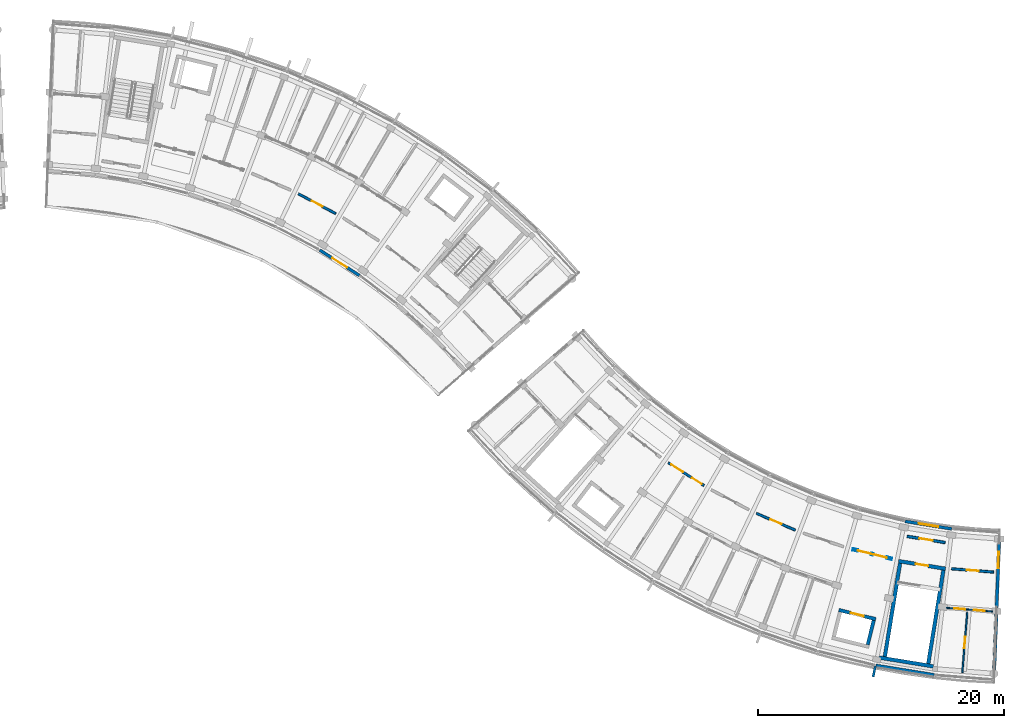
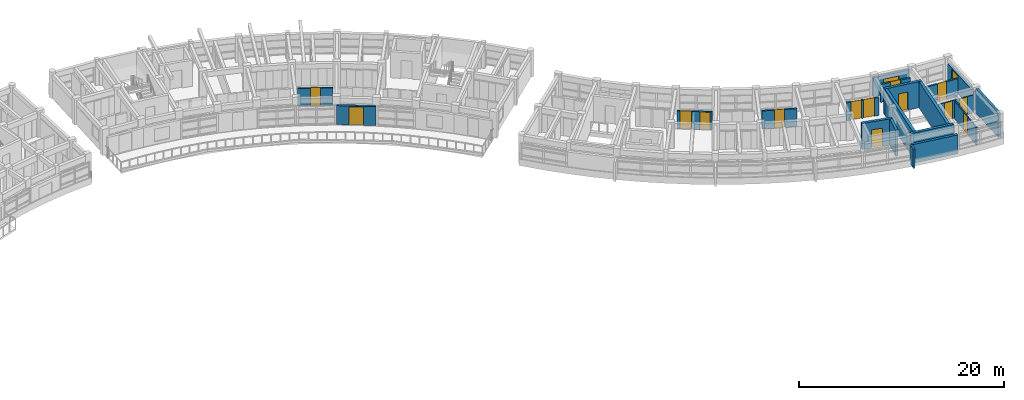
# One storey, part 26 of 38: 20 walls, 14 doors, 2 windows, 16 openings.
"""IFC4 building model written with IfcOpenShell, lengths in metres."""

from ifc_helpers import new_model, si_unit, direction, frame, frame_2d, origin, place, context, subcontext, project, spatial, rectangle, extrude, material, layer, layer_set, type_object, element, fill, save


model = new_model("IFC4")

# Units and contexts
model_context = context("Model", 3, precision=1e-05, world=origin(), true_north=direction((0.0, 1.0)))
body_context = subcontext(model_context, "Body", "Model", "MODEL_VIEW")
ifc_project = project(units=[si_unit("LENGTHUNIT", "METRE"), si_unit("AREAUNIT", "SQUARE_METRE"), si_unit("VOLUMEUNIT", "CUBIC_METRE"), si_unit("PLANEANGLEUNIT", "RADIAN"), si_unit("MASSUNIT", "GRAM", prefix="KILO")], contexts=[model_context])

# Site, building, storey
site_placement = place(None, origin())
site = spatial("IfcSite", under=ifc_project, at=site_placement, CompositionType="ELEMENT")
building_placement = place(site_placement, origin())
building = spatial("IfcBuilding", under=site, at=building_placement, Name="Zimvara Arc Housing Community", CompositionType="ELEMENT")
storey_placement = place(building_placement, frame((0.0, 0.0, 29.800048828125)))
storey = spatial("IfcBuildingStorey", under=building, at=storey_placement, Name="L09", CompositionType="ELEMENT", Elevation=29.800048828125)

# Wall, opening, window
ifc_material_1 = material(Name="Board-Marked Fair-Faced Concrete C35/45", Category="concrete")
ifc_layer_1 = layer(ifc_material_1, 0.2548828125)
ifc_layer_set_1 = layer_set([ifc_layer_1], Name="Board-Marked Fair-Faced Concrete C35/45")
wall_type_1 = type_object("IfcWallType", Name="EWL-CONC-255", PredefinedType="SOLIDWALL", material=ifc_layer_set_1)
wall_1_placement = place(storey_placement, frame((124.13134765625, 61.735595703125, 0.0), z_axis=(0.0, 0.0, 1.0), x_axis=(-0.038429649442, -0.999261308189, 0.0)))
wall_1 = element("IfcWall", 1, at=wall_1_placement, inside=storey, type_object=wall_type_1, Name="ewall:blkC:L09:gN", PredefinedType="SOLIDWALL", context=body_context, shape_type="SweptSolid", body=[
    extrude(rectangle(XDim=5.39990234375, YDim=0.2548828125, at=frame_2d((2.699951171875, 0.0))), origin(), (0.0, 0.0, 1.0), 2.239990234375),
])
opening_1_placement = place(wall_1_placement, frame((0.7900390625, 0.0, 0.75)))
opening_1 = element("IfcOpeningElement", 2, at=opening_1_placement, cuts=wall_1, Name="Opening W12", PredefinedType="OPENING", context=body_context, shape_type="SweptSolid", body=[
    extrude(rectangle(XDim=1.35009765625, YDim=1.35009765625, at=frame_2d((0.675048828125, 0.675048828125))), frame((0.0, 0.137451171875, 0.0), z_axis=(0.0, -1.0, 0.0), x_axis=(1.0, 0.0, 0.0)), (0.0, 0.0, 1.0), 0.27490234375),
])
ifc_material_2 = material(Name="Solar Control Low-E Double Glazing", Category="glass")
window_type_1 = type_object("IfcWindowType", Name="WIN-RES-1350x1350", PartitioningType="DOUBLE_PANEL_VERTICAL", PredefinedType="WINDOW", material=ifc_material_2)
window_1_placement = place(opening_1_placement, origin())
window_1 = element("IfcWindow", 3, at=window_1_placement, inside=storey, type_object=window_type_1, Name="win:blkC:L09:gN:w", OverallHeight=1.35009765625, OverallWidth=1.35009765625, PartitioningType="DOUBLE_PANEL_VERTICAL", PredefinedType="WINDOW", context=body_context, shape_type="SweptSolid", body=[
    extrude(rectangle(XDim=1.35009765625, YDim=1.35009765625, at=frame_2d((0.675048828125, 0.675048828125))), frame((0.0, 0.030029296875, 0.0), z_axis=(0.0, -1.0, 0.0), x_axis=(1.0, 0.0, 0.0)), (0.0, 0.0, 1.0), 0.06005859375),
])
fill(opening_1, window_1)

# Walls
ifc_material_3 = material(Name="Board-Marked Fair-Faced Concrete C40/50", Category="concrete")
ifc_layer_2 = layer(ifc_material_3, 0.27490234375)
ifc_layer_set_2 = layer_set([ifc_layer_2], Name="Board-Marked Fair-Faced Concrete C40/50")
wall_type_2 = type_object("IfcWallType", Name="EWL-CONC-275", PredefinedType="SOLIDWALL", material=ifc_layer_set_2)
wall_2_placement = place(storey_placement, frame((114.100341796875, 51.681396484375, 0.0), z_axis=(0.0, 0.0, 1.0), x_axis=(0.987080750493, -0.160223568819, 0.0)))
element("IfcWall", 4, at=wall_2_placement, inside=storey, type_object=wall_type_2, Name="ewall:blkC:L09:out:b8", PredefinedType="SOLIDWALL", context=body_context, shape_type="SweptSolid", body=[
    extrude(rectangle(XDim=4.808837890625, YDim=0.27490234375, at=frame_2d((2.404296875, 0.0))), origin(), (0.0, 0.0, 1.0), 2.25),
])
ifc_material_4 = material(Name="Board-Marked Fair-Faced Concrete C35/45", Category="concrete")
ifc_layer_3 = layer(ifc_material_4, 0.195068359375)
ifc_layer_set_3 = layer_set([ifc_layer_3], Name="Board-Marked Fair-Faced Concrete C35/45")
wall_type_3 = type_object("IfcWallType", Name="EWL-PARA-195", PredefinedType="PARAPET", material=ifc_layer_set_3)
wall_3_placement = place(storey_placement, frame((114.072509765625, 51.645263671875, 0.0), z_axis=(0.0, 0.0, 1.0), x_axis=(-0.200236425943, -0.979747607155, 0.0)))
element("IfcWall", 5, at=wall_3_placement, inside=storey, type_object=wall_type_3, Name="finwall:blkC:L09:out:b8", PredefinedType="PARAPET", context=body_context, shape_type="SweptSolid", body=[
    extrude(rectangle(XDim=0.89990234375, YDim=0.195068359375, at=frame_2d((0.449951171875, 0.0))), origin(), (0.0, 0.0, 1.0), 2.25),
])

# Wall, opening, door
ifc_material_5 = material(Name="Pigmented Fair-Faced Concrete C35/45", Category="concrete")
ifc_layer_4 = layer(ifc_material_5, 0.2451171875)
ifc_layer_set_4 = layer_set([ifc_layer_4], Name="Pigmented Fair-Faced Concrete C35/45")
wall_type_4 = type_object("IfcWallType", Name="EWL-PIGM-245", PredefinedType="SOLIDWALL", material=ifc_layer_set_4)
wall_4_placement = place(storey_placement, frame((68.92724609375, 85.439697265625, 0.0), z_axis=(0.0, 0.0, 1.0), x_axis=(0.842284127574, -0.539033810105, 0.0)))
wall_4 = element("IfcWall", 6, at=wall_4_placement, inside=storey, type_object=wall_type_4, Name="ewall:blkB:L09:in:b6", PredefinedType="SOLIDWALL", context=body_context, shape_type="SweptSolid", body=[
    extrude(rectangle(XDim=3.832275390625, YDim=0.2451171875, at=frame_2d((1.916015625, 0.0))), origin(), (0.0, 0.0, 1.0), 2.25),
])
opening_2_placement = place(wall_4_placement, frame((1.216064453125, 0.0, 0.0)))
opening_2 = element("IfcOpeningElement", 7, at=opening_2_placement, cuts=wall_4, Name="Opening ED07", PredefinedType="OPENING", context=body_context, shape_type="SweptSolid", body=[
    extrude(rectangle(XDim=1.39990234375, YDim=2.14990234375, at=frame_2d((0.699951171875, 1.074951171875))), frame((0.0, 0.132568359375, 0.0), z_axis=(0.0, -1.0, 0.0), x_axis=(1.0, 0.0, 0.0)), (0.0, 0.0, 1.0), 0.26513671875),
])
ifc_material_6 = material(Name="Anodised Aluminium AW-6063", Category="aluminium")
door_type_1 = type_object("IfcDoorType", Name="EDR-TERR-1400x2150", OperationType="DOUBLE_DOOR_SINGLE_SWING", PredefinedType="DOOR", material=ifc_material_6)
door_1_placement = place(opening_2_placement, origin())
door_1 = element("IfcDoor", 8, at=door_1_placement, inside=storey, type_object=door_type_1, Name="edoor:blkB:L09:terr:b6", OperationType="DOUBLE_DOOR_SINGLE_SWING", OverallHeight=2.14990234375, OverallWidth=1.39990234375, PredefinedType="DOOR", context=body_context, shape_type="SweptSolid", body=[
    extrude(rectangle(XDim=1.39990234375, YDim=2.14990234375, at=frame_2d((0.699951171875, 1.074951171875))), frame((0.0, 0.02490234375, 0.0), z_axis=(0.0, -1.0, 0.0), x_axis=(1.0, 0.0, 0.0)), (0.0, 0.0, 1.0), 0.050048828125),
])
fill(opening_2, door_1)

# Wall, opening, window
wall_5_placement = place(storey_placement, frame((116.4970703125, 63.398681640625, 0.0), z_axis=(0.0, 0.0, 1.0), x_axis=(0.987080708519, -0.160223827412, 0.0)))
wall_5 = element("IfcWall", 9, at=wall_5_placement, inside=storey, type_object=wall_type_4, Name="ewall:blkC:L09:in:b8", PredefinedType="SOLIDWALL", context=body_context, shape_type="SweptSolid", body=[
    extrude(rectangle(XDim=3.832275390625, YDim=0.2451171875, at=frame_2d((1.916015625, 0.0))), origin(), (0.0, 0.0, 1.0), 2.25),
])
opening_3_placement = place(wall_5_placement, frame((1.1162109375, 0.0, 0.320068359375)))
opening_3 = element("IfcOpeningElement", 10, at=opening_3_placement, cuts=wall_5, Name="Opening W03", PredefinedType="OPENING", context=body_context, shape_type="SweptSolid", body=[
    extrude(rectangle(XDim=1.60009765625, YDim=1.5, at=frame_2d((0.800048828125, 0.75))), frame((0.0, 0.132568359375, 0.0), z_axis=(0.0, -1.0, 0.0), x_axis=(1.0, 0.0, 0.0)), (0.0, 0.0, 1.0), 0.26513671875),
])
ifc_material_7 = material(Name="Solar Control Low-E Double Glazing", Category="glass")
window_type_2 = type_object("IfcWindowType", Name="WIN-RES-1600x1500", PartitioningType="DOUBLE_PANEL_VERTICAL", PredefinedType="WINDOW", material=ifc_material_7)
window_2_placement = place(opening_3_placement, origin())
window_2 = element("IfcWindow", 11, at=window_2_placement, inside=storey, type_object=window_type_2, Name="win:blkC:L09:in:b8", OverallHeight=1.5, OverallWidth=1.60009765625, PartitioningType="DOUBLE_PANEL_VERTICAL", PredefinedType="WINDOW", context=body_context, shape_type="SweptSolid", body=[
    extrude(rectangle(XDim=1.60009765625, YDim=1.5, at=frame_2d((0.800048828125, 0.75))), frame((0.0, 0.030029296875, 0.0), z_axis=(0.0, -1.0, 0.0), x_axis=(1.0, 0.0, 0.0)), (0.0, 0.0, 1.0), 0.06005859375),
])
fill(opening_3, window_2)

# Wall, openings, doors
ifc_material_8 = material(Name="Concrete C35/45", Category="concrete")
ifc_layer_5 = layer(ifc_material_8, 0.2099609375)
ifc_layer_set_5 = layer_set([ifc_layer_5], Name="Concrete C35/45")
wall_type_5 = type_object("IfcWallType", Name="IWL-CCF-210", PredefinedType="SOLIDWALL", material=ifc_layer_set_5)
wall_6_placement = place(storey_placement, frame((112.222900390625, 61.130126953125, 0.0), z_axis=(0.0, 0.0, 1.0), x_axis=(0.970719238682, -0.240216901263, 0.0)))
wall_6 = element("IfcWall", 12, at=wall_6_placement, inside=storey, type_object=wall_type_5, Name="iwall:blkC:L09:ll_div:b7", PredefinedType="SOLIDWALL", context=body_context, shape_type="SweptSolid", body=[
    extrude(rectangle(XDim=3.2958984375, YDim=0.2099609375, at=frame_2d((1.64794921875, 0.0))), origin(), (0.0, 0.0, 1.0), 2.139892578125),
])
opening_4_placement = place(wall_6_placement, frame((0.449951171875, 0.0, 0.0)))
opening_4 = element("IfcOpeningElement", 13, at=opening_4_placement, cuts=wall_6, Name="Opening FD-CCF1", PredefinedType="OPENING", context=body_context, shape_type="SweptSolid", body=[
    extrude(rectangle(XDim=1.10009765625, YDim=2.14990234375, at=frame_2d((0.550048828125, 1.074951171875))), frame((0.0, 0.114990234375, 0.0), z_axis=(0.0, -1.0, 0.0), x_axis=(1.0, 0.0, 0.0)), (0.0, 0.0, 1.0), 0.22998046875),
])
opening_5_placement = place(wall_6_placement, frame((1.72607421875, 0.0, 0.0)))
opening_5 = element("IfcOpeningElement", 14, at=opening_5_placement, cuts=wall_6, Name="Opening D07", PredefinedType="OPENING", context=body_context, shape_type="SweptSolid", body=[
    extrude(rectangle(XDim=1.1201171875, YDim=2.14990234375, at=frame_2d((0.56005859375, 1.074951171875))), frame((0.0, 0.114990234375, 0.0), z_axis=(0.0, -1.0, 0.0), x_axis=(1.0, 0.0, 0.0)), (0.0, 0.0, 1.0), 0.22998046875),
])
ifc_material_9 = material(Name="Mozambican Hardwood", Category="wood")
door_type_2 = type_object("IfcDoorType", Name="IDR-AMN-1120x2150", OperationType="NOTDEFINED", PredefinedType="DOOR", material=ifc_material_9)
door_2_placement = place(opening_5_placement, origin())
door_2 = element("IfcDoor", 15, at=door_2_placement, inside=storey, type_object=door_type_2, Name="idoor:blkC:L09:rs_in:b7", OperationType="SINGLE_SWING_LEFT", OverallHeight=2.14990234375, OverallWidth=1.1201171875, PredefinedType="DOOR", context=body_context, shape_type="SweptSolid", body=[
    extrude(rectangle(XDim=1.1201171875, YDim=2.14990234375, at=frame_2d((0.56005859375, 1.074951171875))), frame((0.0, 0.02490234375, 0.0), z_axis=(0.0, -1.0, 0.0), x_axis=(1.0, 0.0, 0.0)), (0.0, 0.0, 1.0), 0.050048828125),
])
fill(opening_5, door_2)
ifc_material_10 = material(Name="Anodised Aluminium AW-6063", Category="aluminium")
door_type_3 = type_object("IfcDoorType", Name="IDR-CCF-1100x2150", OperationType="NOTDEFINED", PredefinedType="DOOR", material=ifc_material_10)
door_3_placement = place(opening_4_placement, origin())
door_3 = element("IfcDoor", 16, at=door_3_placement, inside=storey, type_object=door_type_3, Name="idoor:blkC:L09:ll_in:b7", OperationType="SINGLE_SWING_RIGHT", OverallHeight=2.14990234375, OverallWidth=1.10009765625, PredefinedType="DOOR", context=body_context, shape_type="SweptSolid", body=[
    extrude(rectangle(XDim=1.10009765625, YDim=2.14990234375, at=frame_2d((0.550048828125, 1.074951171875))), frame((0.0, 0.02490234375, 0.0), z_axis=(0.0, -1.0, 0.0), x_axis=(1.0, 0.0, 0.0)), (0.0, 0.0, 1.0), 0.050048828125),
])
fill(opening_4, door_3)

# Wall, opening, door
wall_7_placement = place(storey_placement, frame((116.655517578125, 62.178466796875, 0.0), z_axis=(0.0, 0.0, 1.0), x_axis=(0.987083140276, -0.16020884552, 0.0)))
wall_7 = element("IfcWall", 17, at=wall_7_placement, inside=storey, type_object=wall_type_5, Name="iwall:blkC:L09:ccf_div:b8", PredefinedType="SOLIDWALL", context=body_context, shape_type="SweptSolid", body=[
    extrude(rectangle(XDim=3.128662109375, YDim=0.2099609375, at=frame_2d((1.564453125, 0.0))), origin(), (0.0, 0.0, 1.0), 2.139892578125),
])
opening_6_placement = place(wall_7_placement, frame((1.014404296875, 0.0, 0.0)))
opening_6 = element("IfcOpeningElement", 18, at=opening_6_placement, cuts=wall_7, Name="Opening FD-CCF1", PredefinedType="OPENING", context=body_context, shape_type="SweptSolid", body=[
    extrude(rectangle(XDim=1.10009765625, YDim=2.14990234375, at=frame_2d((0.550048828125, 1.074951171875))), frame((0.0, 0.114990234375, 0.0), z_axis=(0.0, -1.0, 0.0), x_axis=(1.0, 0.0, 0.0)), (0.0, 0.0, 1.0), 0.22998046875),
])
door_4_placement = place(opening_6_placement, origin())
door_4 = element("IfcDoor", 19, at=door_4_placement, inside=storey, type_object=door_type_3, Name="idoor:blkC:L09:ccf_in:b8", OperationType="SINGLE_SWING_RIGHT", OverallHeight=2.14990234375, OverallWidth=1.10009765625, PredefinedType="DOOR", context=body_context, shape_type="SweptSolid", body=[
    extrude(rectangle(XDim=1.10009765625, YDim=2.14990234375, at=frame_2d((0.550048828125, 1.074951171875))), frame((0.0, 0.02490234375, 0.0), z_axis=(0.0, -1.0, 0.0), x_axis=(1.0, 0.0, 0.0)), (0.0, 0.0, 1.0), 0.050048828125),
])
fill(opening_6, door_4)

ifc_material_11 = material(Name="Concrete C35/45", Category="concrete")
ifc_layer_6 = layer(ifc_material_11, 0.18994140625)
ifc_layer_set_6 = layer_set([ifc_layer_6], Name="Concrete C35/45")
wall_type_6 = type_object("IfcWallType", Name="IWL-CORR-190", PredefinedType="SOLIDWALL", material=ifc_layer_set_6)
wall_8_placement = place(storey_placement, frame((67.1943359375, 90.013916015625, 0.0), z_axis=(0.0, 0.0, 1.0), x_axis=(0.883410853063, -0.468599258099, 0.0)))
wall_8 = element("IfcWall", 20, at=wall_8_placement, inside=storey, type_object=wall_type_6, Name="iwall:blkB:L09:corr_out:b5", PredefinedType="SOLIDWALL", context=body_context, shape_type="SweptSolid", body=[
    extrude(rectangle(XDim=3.43603515625, YDim=0.18994140625, at=frame_2d((1.718017578125, 0.0))), origin(), (0.0, 0.0, 1.0), 2.079833984375),
])
opening_7_placement = place(wall_8_placement, frame((1.22802734375, 0.0, 0.0)))
opening_7 = element("IfcOpeningElement", 21, at=opening_7_placement, cuts=wall_8, Name="Opening FD-FL1", PredefinedType="OPENING", context=body_context, shape_type="SweptSolid", body=[
    extrude(rectangle(XDim=0.97998046875, YDim=2.14990234375, at=frame_2d((0.489990234375, 1.074951171875))), frame((0.0, 0.10498046875, 0.0), z_axis=(0.0, -1.0, 0.0), x_axis=(1.0, 0.0, 0.0)), (0.0, 0.0, 1.0), 0.2099609375),
])
ifc_material_12 = material(Name="Mozambican Hardwood", Category="wood")
door_type_4 = type_object("IfcDoorType", Name="IDR-FLAT-0980x2150", OperationType="NOTDEFINED", PredefinedType="DOOR", material=ifc_material_12)
door_5_placement = place(opening_7_placement, origin())
door_5 = element("IfcDoor", 22, at=door_5_placement, inside=storey, type_object=door_type_4, Name="idoor:blkB:L09:flat:b5", OperationType="SINGLE_SWING_RIGHT", OverallHeight=2.14990234375, OverallWidth=0.97998046875, PredefinedType="DOOR", context=body_context, shape_type="SweptSolid", body=[
    extrude(rectangle(XDim=0.97998046875, YDim=2.14990234375, at=frame_2d((0.489990234375, 1.074951171875))), frame((0.0, 0.02490234375, 0.0), z_axis=(0.0, -1.0, 0.0), x_axis=(1.0, 0.0, 0.0)), (0.0, 0.0, 1.0), 0.050048828125),
])
fill(opening_7, door_5)

# Wall, openings, doors
wall_9_placement = place(storey_placement, frame((97.252197265625, 68.160888671875, 0.0), z_axis=(0.0, 0.0, 1.0), x_axis=(0.842289466461, -0.53902546757, 0.0)))
wall_9 = element("IfcWall", 23, at=wall_9_placement, inside=storey, type_object=wall_type_6, Name="iwall:blkC:L09:corr_out:b3", PredefinedType="SOLIDWALL", context=body_context, shape_type="SweptSolid", body=[
    extrude(rectangle(XDim=3.43603515625, YDim=0.18994140625, at=frame_2d((1.718017578125, 0.0))), origin(), (0.0, 0.0, 1.0), 2.139892578125),
])
opening_8_placement = place(wall_9_placement, frame((0.280029296875, 0.0, 0.0)))
opening_8 = element("IfcOpeningElement", 24, at=opening_8_placement, cuts=wall_9, Name="Opening D07", PredefinedType="OPENING", context=body_context, shape_type="SweptSolid", body=[
    extrude(rectangle(XDim=1.1201171875, YDim=2.14990234375, at=frame_2d((0.56005859375, 1.074951171875))), frame((0.0, 0.10498046875, 0.0), z_axis=(0.0, -1.0, 0.0), x_axis=(1.0, 0.0, 0.0)), (0.0, 0.0, 1.0), 0.2099609375),
])
opening_9_placement = place(wall_9_placement, frame((2.26611328125, 0.0, 0.0)))
opening_9 = element("IfcOpeningElement", 25, at=opening_9_placement, cuts=wall_9, Name="Opening D06", PredefinedType="OPENING", context=body_context, shape_type="SweptSolid", body=[
    extrude(rectangle(XDim=0.949951171875, YDim=2.10009765625, at=frame_2d((0.47509765625, 1.050048828125))), frame((0.0, 0.10498046875, 0.0), z_axis=(0.0, -1.0, 0.0), x_axis=(1.0, 0.0, 0.0)), (0.0, 0.0, 1.0), 0.2099609375),
])
door_6_placement = place(opening_8_placement, origin())
door_6 = element("IfcDoor", 26, at=door_6_placement, inside=storey, type_object=door_type_2, Name="idoor:blkC:L09:amen:b3", OperationType="SINGLE_SWING_LEFT", OverallHeight=2.14990234375, OverallWidth=1.1201171875, PredefinedType="DOOR", context=body_context, shape_type="SweptSolid", body=[
    extrude(rectangle(XDim=1.1201171875, YDim=2.14990234375, at=frame_2d((0.56005859375, 1.074951171875))), frame((0.0, 0.02490234375, 0.0), z_axis=(0.0, -1.0, 0.0), x_axis=(1.0, 0.0, 0.0)), (0.0, 0.0, 1.0), 0.050048828125),
])
fill(opening_8, door_6)
ifc_material_13 = material(Name="Mozambican Hardwood", Category="wood")
door_type_5 = type_object("IfcDoorType", Name="IDR-AWC-0950x2100", OperationType="NOTDEFINED", PredefinedType="DOOR", material=ifc_material_13)
door_7_placement = place(opening_9_placement, origin())
door_7 = element("IfcDoor", 27, at=door_7_placement, inside=storey, type_object=door_type_5, Name="idoor:blkC:L09:cawc:b3", OperationType="SINGLE_SWING_RIGHT", OverallHeight=2.10009765625, OverallWidth=0.949951171875, PredefinedType="DOOR", context=body_context, shape_type="SweptSolid", body=[
    extrude(rectangle(XDim=0.949951171875, YDim=2.10009765625, at=frame_2d((0.47509765625, 1.050048828125))), frame((0.0, 0.02490234375, 0.0), z_axis=(0.0, -1.0, 0.0), x_axis=(1.0, 0.0, 0.0)), (0.0, 0.0, 1.0), 0.050048828125),
])
fill(opening_9, door_7)

# Wall, opening, door
wall_10_placement = place(storey_placement, frame((104.41650390625, 64.0439453125, 0.0), z_axis=(0.0, 0.0, 1.0), x_axis=(0.918718172399, -0.394913813008, 0.0)))
wall_10 = element("IfcWall", 28, at=wall_10_placement, inside=storey, type_object=wall_type_6, Name="iwall:blkC:L09:corr_out:b5", PredefinedType="SOLIDWALL", context=body_context, shape_type="SweptSolid", body=[
    extrude(rectangle(XDim=3.43603515625, YDim=0.18994140625, at=frame_2d((1.718017578125, 0.0))), origin(), (0.0, 0.0, 1.0), 2.139892578125),
])
opening_10_placement = place(wall_10_placement, frame((1.22802734375, 0.0, 0.0)))
opening_10 = element("IfcOpeningElement", 29, at=opening_10_placement, cuts=wall_10, Name="Opening FD-FL1", PredefinedType="OPENING", context=body_context, shape_type="SweptSolid", body=[
    extrude(rectangle(XDim=0.97998046875, YDim=2.14990234375, at=frame_2d((0.489990234375, 1.074951171875))), frame((0.0, 0.10498046875, 0.0), z_axis=(0.0, -1.0, 0.0), x_axis=(1.0, 0.0, 0.0)), (0.0, 0.0, 1.0), 0.2099609375),
])
door_8_placement = place(opening_10_placement, origin())
door_8 = element("IfcDoor", 30, at=door_8_placement, inside=storey, type_object=door_type_4, Name="idoor:blkC:L09:flat:b5", OperationType="SINGLE_SWING_RIGHT", OverallHeight=2.14990234375, OverallWidth=0.97998046875, PredefinedType="DOOR", context=body_context, shape_type="SweptSolid", body=[
    extrude(rectangle(XDim=0.97998046875, YDim=2.14990234375, at=frame_2d((0.489990234375, 1.074951171875))), frame((0.0, 0.02490234375, 0.0), z_axis=(0.0, -1.0, 0.0), x_axis=(1.0, 0.0, 0.0)), (0.0, 0.0, 1.0), 0.050048828125),
])
fill(opening_10, door_8)

wall_11_placement = place(storey_placement, frame((120.261474609375, 59.547119140625, 0.0), z_axis=(0.0, 0.0, 1.0), x_axis=(0.996862545573, -0.079152165058, 0.0)))
wall_11 = element("IfcWall", 31, at=wall_11_placement, inside=storey, type_object=wall_type_6, Name="iwall:blkC:L09:corr_out:b9", PredefinedType="SOLIDWALL", context=body_context, shape_type="SweptSolid", body=[
    extrude(rectangle(XDim=3.43603515625, YDim=0.18994140625, at=frame_2d((1.718017578125, 0.0))), origin(), (0.0, 0.0, 1.0), 2.139892578125),
])
opening_11_placement = place(wall_11_placement, frame((1.22802734375, 0.0, 0.0)))
opening_11 = element("IfcOpeningElement", 32, at=opening_11_placement, cuts=wall_11, Name="Opening FD-FL1", PredefinedType="OPENING", context=body_context, shape_type="SweptSolid", body=[
    extrude(rectangle(XDim=0.97998046875, YDim=2.14990234375, at=frame_2d((0.489990234375, 1.074951171875))), frame((0.0, 0.10498046875, 0.0), z_axis=(0.0, -1.0, 0.0), x_axis=(1.0, 0.0, 0.0)), (0.0, 0.0, 1.0), 0.2099609375),
])
door_9_placement = place(opening_11_placement, origin())
door_9 = element("IfcDoor", 33, at=door_9_placement, inside=storey, type_object=door_type_4, Name="idoor:blkC:L09:flat:b9", OperationType="SINGLE_SWING_LEFT", OverallHeight=2.14990234375, OverallWidth=0.97998046875, PredefinedType="DOOR", context=body_context, shape_type="SweptSolid", body=[
    extrude(rectangle(XDim=0.97998046875, YDim=2.14990234375, at=frame_2d((0.489990234375, 1.074951171875))), frame((0.0, 0.02490234375, 0.0), z_axis=(0.0, -1.0, 0.0), x_axis=(1.0, 0.0, 0.0)), (0.0, 0.0, 1.0), 0.050048828125),
])
fill(opening_11, door_9)

# Wall, openings, doors
ifc_material_14 = material(Name="Painted Acoustic Plasterboard")
ifc_layer_7 = layer(ifc_material_14, 0.10009765625)
ifc_layer_set_7 = layer_set([ifc_layer_7], Name="Painted Acoustic Plasterboard")
wall_type_7 = type_object("IfcWallType", Name="IWL-PART-100", PredefinedType="PARTITIONING", material=ifc_layer_set_7)
wall_12_placement = place(storey_placement, frame((119.828369140625, 56.3740234375, 0.0), z_axis=(0.0, 0.0, 1.0), x_axis=(0.996863138536, -0.079144696778, 0.0)))
wall_12 = element("IfcWall", 34, at=wall_12_placement, inside=storey, type_object=wall_type_7, Name="iwall:blkC:L09:srv:b9", PredefinedType="PARTITIONING", context=body_context, shape_type="SweptSolid", body=[
    extrude(rectangle(XDim=3.79736328125, YDim=0.10009765625, at=frame_2d((1.898681640625, 0.0))), origin(), (0.0, 0.0, 1.0), 2.139892578125),
])
opening_12_placement = place(wall_12_placement, frame((0.64990234375, 0.0, 0.0)))
opening_12 = element("IfcOpeningElement", 35, at=opening_12_placement, cuts=wall_12, Name="Opening D01", PredefinedType="OPENING", context=body_context, shape_type="SweptSolid", body=[
    extrude(rectangle(XDim=0.89990234375, YDim=2.10009765625, at=frame_2d((0.449951171875, 1.050048828125))), frame((0.0, 0.06005859375, 0.0), z_axis=(0.0, -1.0, 0.0), x_axis=(1.0, 0.0, 0.0)), (0.0, 0.0, 1.0), 0.1201171875),
])
opening_13_placement = place(wall_12_placement, frame((2.267333984375, 0.0, 0.0)))
opening_13 = element("IfcOpeningElement", 36, at=opening_13_placement, cuts=wall_12, Name="Opening D05", PredefinedType="OPENING", context=body_context, shape_type="SweptSolid", body=[
    extrude(rectangle(XDim=0.8798828125, YDim=2.10009765625, at=frame_2d((0.43994140625, 1.050048828125))), frame((0.0, 0.06005859375, 0.0), z_axis=(0.0, -1.0, 0.0), x_axis=(1.0, 0.0, 0.0)), (0.0, 0.0, 1.0), 0.1201171875),
])
ifc_material_15 = material(Name="Mozambican Hardwood", Category="wood")
door_type_6 = type_object("IfcDoorType", Name="IDR-RM-0900x2100", OperationType="NOTDEFINED", PredefinedType="DOOR", material=ifc_material_15)
door_10_placement = place(opening_12_placement, origin())
door_10 = element("IfcDoor", 37, at=door_10_placement, inside=storey, type_object=door_type_6, Name="idoor:blkC:L09:kit_liv:b9", OperationType="SINGLE_SWING_RIGHT", OverallHeight=2.10009765625, OverallWidth=0.89990234375, PredefinedType="DOOR", context=body_context, shape_type="SweptSolid", body=[
    extrude(rectangle(XDim=0.89990234375, YDim=2.10009765625, at=frame_2d((0.449951171875, 1.050048828125))), frame((0.0, 0.02490234375, 0.0), z_axis=(0.0, -1.0, 0.0), x_axis=(1.0, 0.0, 0.0)), (0.0, 0.0, 1.0), 0.050048828125),
])
fill(opening_12, door_10)
ifc_material_16 = material(Name="Mozambican Hardwood", Category="wood")
door_type_7 = type_object("IfcDoorType", Name="IDR-WC-0880x2100", OperationType="NOTDEFINED", PredefinedType="DOOR", material=ifc_material_16)
door_11_placement = place(opening_13_placement, origin())
door_11 = element("IfcDoor", 38, at=door_11_placement, inside=storey, type_object=door_type_7, Name="idoor:blkC:L09:bath_d:b9", OperationType="SINGLE_SWING_LEFT", OverallHeight=2.10009765625, OverallWidth=0.8798828125, PredefinedType="DOOR", context=body_context, shape_type="SweptSolid", body=[
    extrude(rectangle(XDim=0.8798828125, YDim=2.10009765625, at=frame_2d((0.43994140625, 1.050048828125))), frame((0.0, 0.02490234375, 0.0), z_axis=(0.0, -1.0, 0.0), x_axis=(1.0, 0.0, 0.0)), (0.0, 0.0, 1.0), 0.050048828125),
])
fill(opening_13, door_11)

# Wall, opening, door
ifc_material_17 = material(Name="Painted Acoustic Plasterboard")
ifc_layer_8 = layer(ifc_material_17, 0.1201171875)
ifc_layer_set_8 = layer_set([ifc_layer_8], Name="Painted Acoustic Plasterboard")
wall_type_8 = type_object("IfcWallType", Name="IWL-PART-120", PredefinedType="PARTITIONING", material=ifc_layer_set_8)
wall_13_placement = place(storey_placement, frame((121.539306640625, 55.99267578125, 0.0), z_axis=(0.0, 0.0, 1.0), x_axis=(-0.082163012317, -0.996618903798, 0.0)))
wall_13 = element("IfcWall", 39, at=wall_13_placement, inside=storey, type_object=wall_type_8, Name="iwall:blkC:L09:bed_div:b9", PredefinedType="PARTITIONING", context=body_context, shape_type="SweptSolid", body=[
    extrude(rectangle(XDim=4.89990234375, YDim=0.1201171875, at=frame_2d((2.449951171875, 0.0))), origin(), (0.0, 0.0, 1.0), 2.139892578125),
])
opening_14_placement = place(wall_13_placement, frame((1.97998046875, 0.0, 0.0)))
opening_14 = element("IfcOpeningElement", 40, at=opening_14_placement, cuts=wall_13, Name="Opening D03", PredefinedType="OPENING", context=body_context, shape_type="SweptSolid", body=[
    extrude(rectangle(XDim=0.93994140625, YDim=2.10009765625, at=frame_2d((0.469970703125, 1.050048828125))), frame((0.0, 0.070068359375, 0.0), z_axis=(0.0, -1.0, 0.0), x_axis=(1.0, 0.0, 0.0)), (0.0, 0.0, 1.0), 0.14013671875),
])
ifc_material_18 = material(Name="Mozambican Hardwood", Category="wood")
door_type_8 = type_object("IfcDoorType", Name="IDR-RM-0940x2100", OperationType="NOTDEFINED", PredefinedType="DOOR", material=ifc_material_18)
door_12_placement = place(opening_14_placement, origin())
door_12 = element("IfcDoor", 41, at=door_12_placement, inside=storey, type_object=door_type_8, Name="idoor:blkC:L09:bed_d:b9", OperationType="SINGLE_SWING_RIGHT", OverallHeight=2.10009765625, OverallWidth=0.93994140625, PredefinedType="DOOR", context=body_context, shape_type="SweptSolid", body=[
    extrude(rectangle(XDim=0.93994140625, YDim=2.10009765625, at=frame_2d((0.469970703125, 1.050048828125))), frame((0.0, 0.02490234375, 0.0), z_axis=(0.0, -1.0, 0.0), x_axis=(1.0, 0.0, 0.0)), (0.0, 0.0, 1.0), 0.050048828125),
])
fill(opening_14, door_12)

ifc_material_19 = material(Name="Concrete C40/50", Category="concrete")
ifc_layer_9 = layer(ifc_material_19, 0.280029296875)
ifc_layer_set_9 = layer_set([ifc_layer_9], Name="Concrete C40/50")
wall_type_9 = type_object("IfcWallType", Name="WL-CORE-280", PredefinedType="SHEAR", material=ifc_layer_set_9)
wall_14_placement = place(storey_placement, frame((111.10791015625, 56.1962890625, 0.0), z_axis=(0.0, 0.0, 1.0), x_axis=(0.970706856107, -0.240266933861, 0.0)))
wall_14 = element("IfcWall", 42, at=wall_14_placement, inside=storey, type_object=wall_type_9, Name="lwall:LP-C2:L09:front", PredefinedType="SHEAR", context=body_context, shape_type="SweptSolid", body=[
    extrude(rectangle(XDim=3.090087890625, YDim=0.280029296875, at=frame_2d((1.544921875, 0.0))), origin(), (0.0, 0.0, 1.0), 3.099853515625),
])
opening_15_placement = place(wall_14_placement, frame((0.9951171875, 0.0, 0.0)))
opening_15 = element("IfcOpeningElement", 43, at=opening_15_placement, cuts=wall_14, Name="Opening LD-LP-C2", PredefinedType="OPENING", context=body_context, shape_type="SweptSolid", body=[
    extrude(rectangle(XDim=1.10009765625, YDim=2.14990234375, at=frame_2d((0.550048828125, 1.074951171875))), frame((0.0, 0.14990234375, 0.0), z_axis=(0.0, -1.0, 0.0), x_axis=(1.0, 0.0, 0.0)), (0.0, 0.0, 1.0), 0.300048828125),
])
ifc_material_20 = material(Name="Anodised Aluminium AW-6063", Category="aluminium")
door_type_9 = type_object("IfcDoorType", Name="IDR-LD-1100x2150", OperationType="DOUBLE_DOOR_SLIDING", PredefinedType="DOOR", material=ifc_material_20)
door_13_placement = place(opening_15_placement, origin())
door_13 = element("IfcDoor", 44, at=door_13_placement, inside=storey, type_object=door_type_9, Name="Lift LP-C2 Sliding Landing Door L09", OperationType="DOUBLE_DOOR_SLIDING", OverallHeight=2.14990234375, OverallWidth=1.10009765625, PredefinedType="DOOR", context=body_context, shape_type="SweptSolid", body=[
    extrude(rectangle(XDim=1.10009765625, YDim=2.14990234375, at=frame_2d((0.550048828125, 1.074951171875))), frame((0.0, 0.02490234375, 0.0), z_axis=(0.0, -1.0, 0.0), x_axis=(1.0, 0.0, 0.0)), (0.0, 0.0, 1.0), 0.050048828125),
])
fill(opening_15, door_13)

# Wall
wall_15_placement = place(storey_placement, frame((113.93798828125, 55.3515625, 0.0), z_axis=(0.0, 0.0, 1.0), x_axis=(-0.2402993748, -0.970698825832, 0.0)))
element("IfcWall", 45, at=wall_15_placement, inside=storey, type_object=wall_type_9, Name="lwall:LP-C2:L09:right", PredefinedType="SHEAR", context=body_context, shape_type="SweptSolid", body=[
    extrude(rectangle(XDim=2.030029296875, YDim=0.280029296875, at=frame_2d((1.01513671875, 0.0))), origin(), (0.0, 0.0, 1.0), 3.099853515625),
])

# Wall, opening, door
ifc_material_21 = material(Name="Concrete C40/50", Category="concrete")
ifc_layer_10 = layer(ifc_material_21, 0.300048828125)
ifc_layer_set_10 = layer_set([ifc_layer_10], Name="Concrete C40/50")
wall_type_10 = type_object("IfcWallType", Name="WL-CORE-300", PredefinedType="SHEAR", material=ifc_layer_set_10)
wall_16_placement = place(storey_placement, frame((115.953857421875, 60.16943359375, 0.0), z_axis=(0.0, 0.0, 1.0), x_axis=(0.987077443397, -0.160243941341, 0.0)))
wall_16 = element("IfcWall", 46, at=wall_16_placement, inside=storey, type_object=wall_type_10, Name="cwall:ST-C2:L09:near", PredefinedType="SHEAR", context=body_context, shape_type="SweptSolid", body=[
    extrude(rectangle(XDim=3.869873046875, YDim=0.300048828125, at=frame_2d((1.93505859375, 0.0))), origin(), (0.0, 0.0, 1.0), 3.099853515625),
])
opening_16_placement = place(wall_16_placement, frame((1.43505859375, 0.0, 0.0)))
opening_16 = element("IfcOpeningElement", 47, at=opening_16_placement, cuts=wall_16, Name="Opening FD-ST1", PredefinedType="OPENING", context=body_context, shape_type="SweptSolid", body=[
    extrude(rectangle(XDim=1.0, YDim=2.14990234375, at=frame_2d((0.5, 1.074951171875))), frame((0.0, 0.159912109375, 0.0), z_axis=(0.0, -1.0, 0.0), x_axis=(1.0, 0.0, 0.0)), (0.0, 0.0, 1.0), 0.320068359375),
])
ifc_material_22 = material(Name="Anodised Aluminium AW-6063", Category="aluminium")
door_type_10 = type_object("IfcDoorType", Name="IDR-ST-1000x2150", OperationType="NOTDEFINED", PredefinedType="DOOR", material=ifc_material_22)
door_14_placement = place(opening_16_placement, origin())
door_14 = element("IfcDoor", 48, at=door_14_placement, inside=storey, type_object=door_type_10, Name="idoor:ST-C2:L09:entry", OperationType="SINGLE_SWING_LEFT", OverallHeight=2.14990234375, OverallWidth=1.0, PredefinedType="DOOR", context=body_context, shape_type="SweptSolid", body=[
    extrude(rectangle(XDim=1.0, YDim=2.14990234375, at=frame_2d((0.5, 1.074951171875))), frame((0.0, 0.02490234375, 0.0), z_axis=(0.0, -1.0, 0.0), x_axis=(1.0, 0.0, 0.0)), (0.0, 0.0, 1.0), 0.050048828125),
])
fill(opening_16, door_14)

# Walls
wall_17_placement = place(storey_placement, frame((114.37744140625, 52.330810546875, 0.0), z_axis=(0.0, 0.0, 1.0), x_axis=(0.987077474317, -0.16024375088, 0.0)))
element("IfcWall", 49, at=wall_17_placement, inside=storey, type_object=wall_type_10, Name="cwall:ST-C2:L09:far", PredefinedType="SHEAR", context=body_context, shape_type="SweptSolid", body=[
    extrude(rectangle(XDim=4.47021484375, YDim=0.300048828125, at=frame_2d((2.235107421875, 0.0))), origin(), (0.0, 0.0, 1.0), 3.099853515625),
])
for number, where, z_axis, x_axis, name in (
    (50, (116.077880859375, 59.997314453125, 0.0), (0.0, 0.0, 1.0), (-0.160232517967, -0.987079297821, 0.0), "cwall:ST-C2:L09:left"),
    (51, (119.6015625, 59.42529296875, 0.0), (0.0, 0.0, 1.0), (-0.160201584773, -0.987084318706, 0.0), "cwall:ST-C2:L09:right"),
):
    element("IfcWall", number, at=place(storey_placement, frame(where, z_axis=z_axis, x_axis=x_axis)), inside=storey, type_object=wall_type_10, Name=name, PredefinedType="SHEAR", context=body_context, shape_type="SweptSolid", body=[
        extrude(rectangle(XDim=7.68994140625, YDim=0.300048828125, at=frame_2d((3.844970703125, 0.0))), origin(), (0.0, 0.0, 1.0), 3.099853515625),
    ])
ifc_material_23 = material(Name="Concrete C40/50", Category="concrete")
ifc_layer_11 = layer(ifc_material_23, 0.27001953125)
ifc_layer_set_11 = layer_set([ifc_layer_11], Name="Concrete C40/50")
wall_type_11 = type_object("IfcWallType", Name="WL-SHEAR-270", PredefinedType="SHEAR", material=ifc_layer_set_11)
wall_18_placement = place(storey_placement, frame((123.90771484375, 55.919677734375, 0.0), z_axis=(0.0, 0.0, 1.0), x_axis=(-0.038381471406, -0.99926315986, 0.0)))
element("IfcWall", 52, at=wall_18_placement, inside=storey, type_object=wall_type_11, Name="swall:blkC:L09:east", PredefinedType="SHEAR", context=body_context, shape_type="SweptSolid", body=[
    extrude(rectangle(XDim=4.7197265625, YDim=0.27001953125, at=frame_2d((2.35986328125, 0.0))), origin(), (0.0, 0.0, 1.0), 2.919921875),
])

save(model, "model.ifc")
